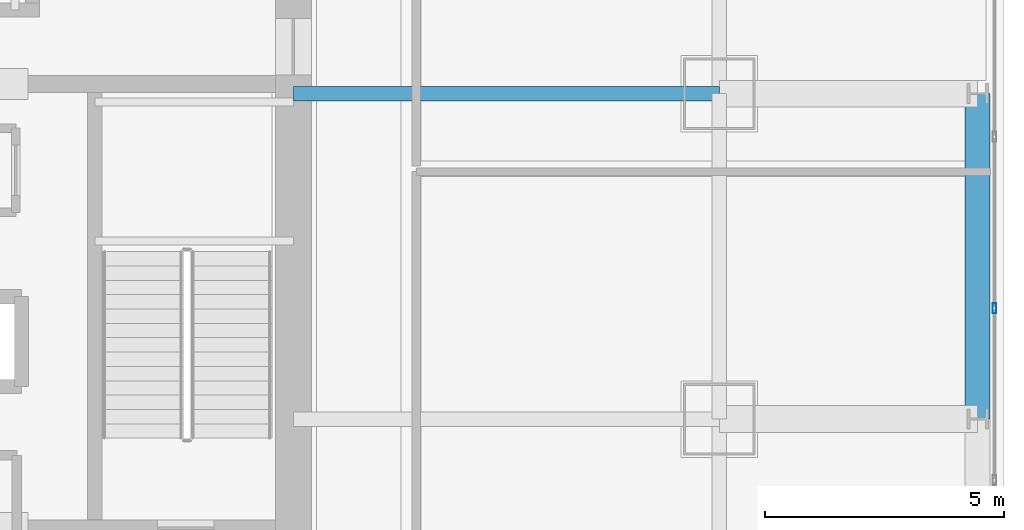
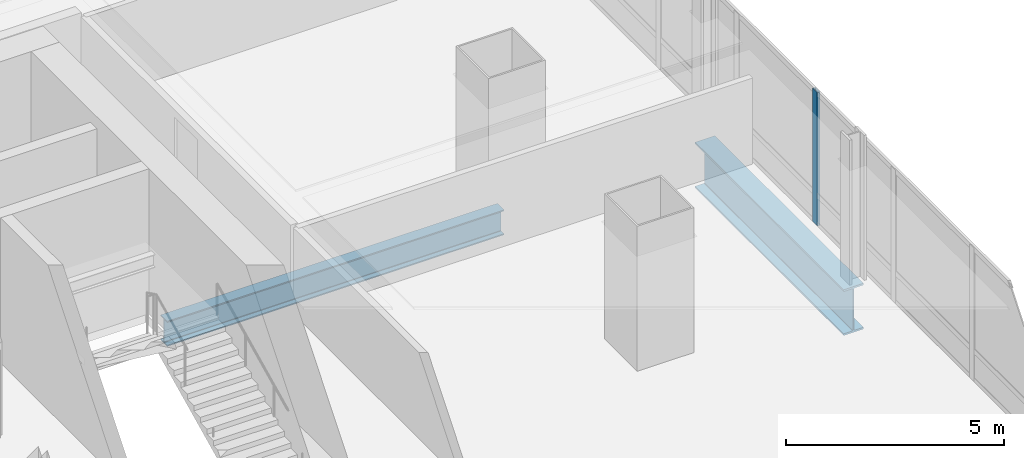
# One storey, part 16 of 33: 2 beams, 1 member, 1 element without a shape of its own.
"""IFC4 building model written with IfcOpenShell, lengths in metres."""

from ifc_helpers import new_model, si_unit, direction, frame, origin, origin_2d, place, context, subcontext, project, spatial, hollow_rectangle, i_section, extrude, material, material_profile, profile_set, type_object, element, aggregate, save


model = new_model("IFC4")

# Units and contexts
model_context = context("Model", 3, precision=1e-05, world=origin(), true_north=direction((0.0, 1.0)))
body_context = subcontext(model_context, "Body", "Model", "MODEL_VIEW")
ifc_project = project(units=[si_unit("LENGTHUNIT", "METRE"), si_unit("AREAUNIT", "SQUARE_METRE"), si_unit("VOLUMEUNIT", "CUBIC_METRE"), si_unit("PLANEANGLEUNIT", "RADIAN"), si_unit("MASSUNIT", "GRAM", prefix="KILO")], contexts=[model_context])

# Site, building, storey
site_placement = place(None, origin())
site = spatial("IfcSite", under=ifc_project, at=site_placement, CompositionType="ELEMENT")
building_placement = place(site_placement, origin())
building = spatial("IfcBuilding", under=site, at=building_placement, Name="Punatoya Terracotta Tower", CompositionType="ELEMENT")
storey_placement = place(building_placement, frame((0.0, 0.0, 121.35009765625)))
storey = spatial("IfcBuildingStorey", under=building, at=storey_placement, Name="L28", CompositionType="ELEMENT", Elevation=121.35009765625)

# Beams
ifc_material_1 = material(Name="Steel S355", Category="steel")
ifc_material_profile_1 = material_profile(ifc_material_1, i_section(OverallWidth=0.300048828125, OverallDepth=0.699951171875, WebThickness=0.01708984375, FlangeThickness=0.031982421875, FilletRadius=0.01806640625, at=origin_2d()))
ifc_profile_set_1 = profile_set([ifc_material_profile_1], Name="Steel S355")
beam_type_1 = type_object("IfcBeamType", Name="BM-PRI-700", PredefinedType="BEAM", material=ifc_profile_set_1)
beam_1_placement = place(storey_placement, frame((10.199951171875, 3.39990234375, -0.590087890625), z_axis=(1.0, 0.0, 0.0), x_axis=(0.0, 1.0, 0.0)))
element("IfcBeam", 1, at=beam_1_placement, inside=storey, type_object=beam_type_1, Name="BM-L28-PR-EE", PredefinedType="BEAM", context=body_context, shape_type="SweptSolid", body=[
    extrude(i_section(OverallWidth=0.300048828125, OverallDepth=0.699951171875, WebThickness=0.01708984375, FlangeThickness=0.031982421875, FilletRadius=0.01806640625, at=origin_2d()), origin(), (0.0, 0.0, 1.0), 8.900146484375),
])
ifc_material_2 = material(Name="Steel S460", Category="steel")
ifc_material_profile_2 = material_profile(ifc_material_2, i_section(OverallWidth=0.52001953125, OverallDepth=1.280029296875, WebThickness=0.031982421875, FlangeThickness=0.050048828125, FilletRadius=0.01806640625, at=origin_2d()))
ifc_profile_set_2 = profile_set([ifc_material_profile_2], Name="Steel S460")
beam_type_2 = type_object("IfcBeamType", Name="BM-TG-NCK", PredefinedType="BEAM", material=ifc_profile_set_2)
beam_2_placement = place(storey_placement, frame((24.5, -3.39990234375, -0.880126953125), z_axis=(0.0, 1.0, 0.0), x_axis=(-1.0, 0.0, 0.0)))
element("IfcBeam", 2, at=beam_2_placement, inside=storey, type_object=beam_type_2, Name="BM-L28-PER-E2", PredefinedType="BEAM", context=body_context, shape_type="SweptSolid", body=[
    extrude(i_section(OverallWidth=0.52001953125, OverallDepth=1.280029296875, WebThickness=0.031982421875, FlangeThickness=0.050048828125, FilletRadius=0.01806640625, at=origin_2d()), origin(), (0.0, 0.0, 1.0), 6.7998046875),
])

# Curtain wall, member
ifc_material_3 = material(Name="Aluminium 6063-T6 + Double Low-E Glass", Category="aluminium")
curtain_wall_type = type_object("IfcCurtainWallType", Name="CW-M1", PredefinedType="NOTDEFINED", material=ifc_material_3)
curtain_wall_placement = place(storey_placement, origin())
curtain_wall = element("IfcCurtainWall", 3, at=curtain_wall_placement, inside=storey, type_object=curtain_wall_type, Name="L28 Curtain Wall CW-L28-E05-1", PredefinedType="NOTDEFINED")
ifc_material_4 = material(Name="Aluminium 6063-T6", Category="aluminium")
ifc_material_profile_3 = material_profile(ifc_material_4, hollow_rectangle(XDim=0.074951171875, YDim=0.2099609375, WallThickness=0.00439453125, at=origin_2d()))
ifc_profile_set_3 = profile_set([ifc_material_profile_3], Name="Aluminium 6063-T6")
member_type = type_object("IfcMemberType", Name="CW-MUL-M1", PredefinedType="MULLION", material=ifc_profile_set_3)
member_placement = place(storey_placement, frame((24.85009765625, -1.087158203125, 0.0), z_axis=(0.0, 0.0, 1.0), x_axis=(1.0, 0.0, 0.0)))
member = element("IfcMember", 4, at=member_placement, type_object=member_type, Name="CW-L28-E05-1 Mullion 04", PredefinedType="MULLION", context=body_context, shape_type="SweptSolid", body=[
    extrude(hollow_rectangle(XDim=0.074951171875, YDim=0.2099609375, WallThickness=0.00439453125, at=origin_2d()), origin(), (0.0, 0.0, 1.0), 3.72998046875),
])
aggregate(curtain_wall, [member])

save(model, "model.ifc")
